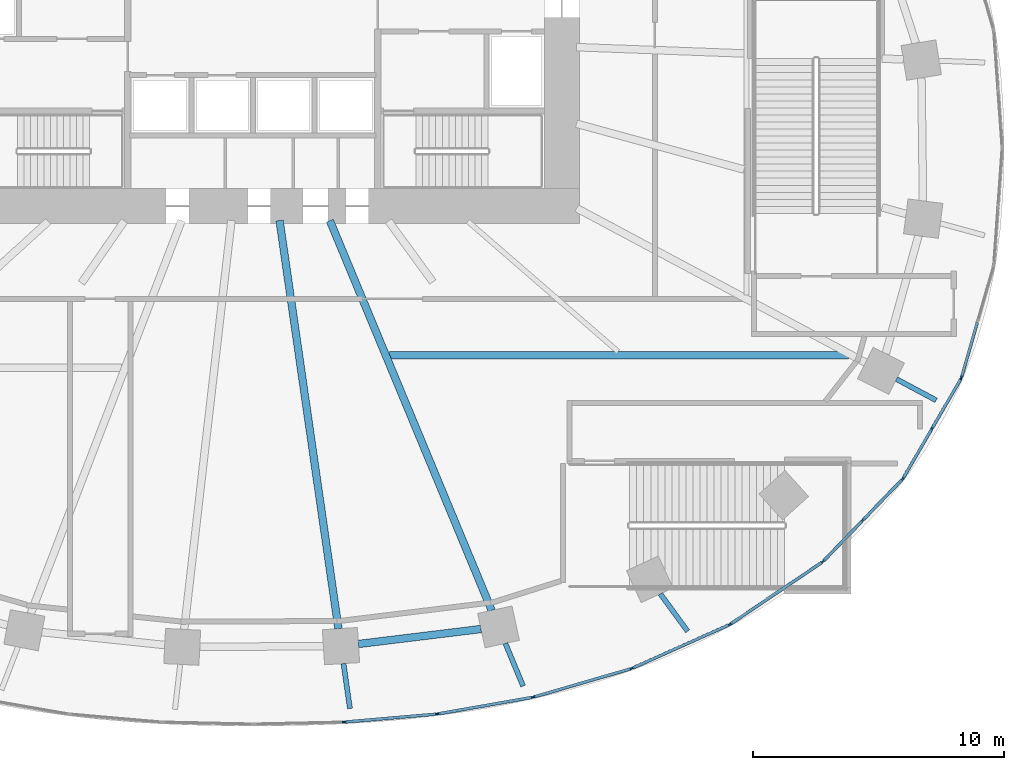
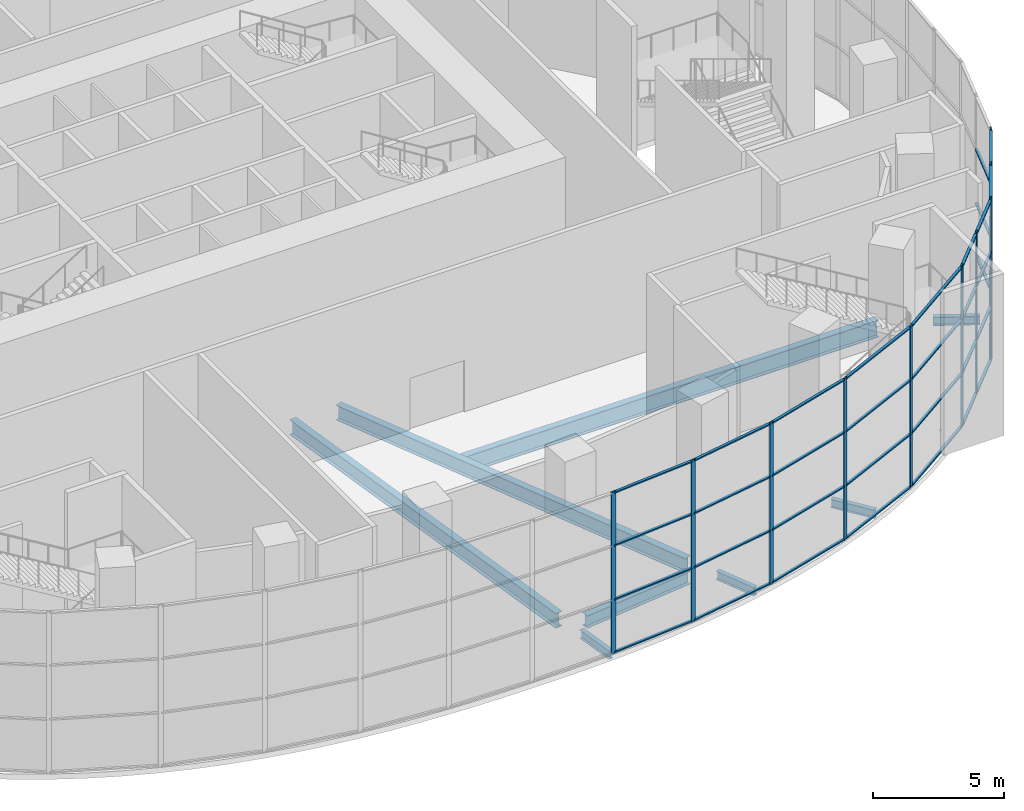
# One storey, part 5 of 22: 49 members, 8 beams, 8 elements without a shape of their own.
"""IFC4 building model written with IfcOpenShell, lengths in metres."""

from ifc_helpers import new_model, si_unit, direction, frame, origin, origin_2d, place, context, subcontext, project, spatial, rectangle, i_section, extrude, material, material_profile, profile_set, type_object, element, aggregate, save


model = new_model("IFC4")

# Units and contexts
model_context = context("Model", 3, precision=1e-05, world=origin(), true_north=direction((0.0, 1.0)))
body_context = subcontext(model_context, "Body", "Model", "MODEL_VIEW")
ifc_project = project(units=[si_unit("LENGTHUNIT", "METRE"), si_unit("AREAUNIT", "SQUARE_METRE"), si_unit("VOLUMEUNIT", "CUBIC_METRE"), si_unit("PLANEANGLEUNIT", "RADIAN"), si_unit("MASSUNIT", "GRAM", prefix="KILO")], contexts=[model_context])

# Site, building, storey
site_placement = place(None, origin())
site = spatial("IfcSite", under=ifc_project, at=site_placement, CompositionType="ELEMENT")
building_placement = place(site_placement, origin())
building = spatial("IfcBuilding", under=site, at=building_placement, Name="Rubra Terraces Tower", CompositionType="ELEMENT")
storey_placement = place(building_placement, frame((0.0, 0.0, 7.199951171875)))
storey = spatial("IfcBuildingStorey", under=building, at=storey_placement, Name="L01", CompositionType="ELEMENT", Elevation=7.199951171875)

# Beams
ifc_material_1 = material(Name="Steel Q355B", Category="steel")
ifc_material_profile_1 = material_profile(ifc_material_1, i_section(OverallWidth=0.199951171875, OverallDepth=0.39990234375, WebThickness=0.008056640625, FlangeThickness=0.012939453125, at=origin_2d()), Name="HN 400x200x8x13")
ifc_profile_set_1 = profile_set([ifc_material_profile_1], Name="Steel Q355B")
beam_type_1 = type_object("IfcBeamType", Name="CANTILEVER BEAM HN 400x200x8x13", PredefinedType="BEAM", material=ifc_profile_set_1)
beam_1_placement = place(storey_placement, frame((3.60888671875, -20.51904296875, -0.449951171875), z_axis=(0.142763772924, -0.989756790904, 0.0), x_axis=(0.989756790904, 0.142763772924, 0.0)))
element("IfcBeam", 1, at=beam_1_placement, inside=storey, type_object=beam_type_1, Name="beam-L01-cant-19", PredefinedType="BEAM", context=body_context, shape_type="SweptSolid", body=[
    extrude(i_section(OverallWidth=0.199951171875, OverallDepth=0.39990234375, WebThickness=0.008056640625, FlangeThickness=0.012939453125, at=origin_2d()), origin(), (0.0, 0.0, 1.0), 1.8076171875),
])
beam_2_placement = place(storey_placement, frame((10.052978515625, -19.715087890625, -0.449951171875), z_axis=(0.383493077266, -0.923543750826, 0.0), x_axis=(0.923543750826, 0.383493077266, 0.0)))
element("IfcBeam", 2, at=beam_2_placement, inside=storey, type_object=beam_type_1, Name="beam-L01-cant-20", PredefinedType="BEAM", context=body_context, shape_type="SweptSolid", body=[
    extrude(i_section(OverallWidth=0.199951171875, OverallDepth=0.39990234375, WebThickness=0.008056640625, FlangeThickness=0.012939453125, at=origin_2d()), origin(), (0.0, 0.0, 1.0), 1.838623046875),
])
beam_3_placement = place(storey_placement, frame((16.219970703125, -17.741943359375, -0.449951171875), z_axis=(0.589263865816, -0.80794065156, 0.0), x_axis=(0.80794065156, 0.589263865816, 0.0)))
element("IfcBeam", 3, at=beam_3_placement, inside=storey, type_object=beam_type_1, Name="beam-L01-cant-21", PredefinedType="BEAM", context=body_context, shape_type="SweptSolid", body=[
    extrude(i_section(OverallWidth=0.199951171875, OverallDepth=0.39990234375, WebThickness=0.008056640625, FlangeThickness=0.012939453125, at=origin_2d()), origin(), (0.0, 0.0, 1.0), 1.8466796875),
])
beam_4_placement = place(storey_placement, frame((25.62109375, -9.196044921875, -0.449951171875), z_axis=(0.881903321084, -0.471430304776, 0.0), x_axis=(0.471430304776, 0.881903321084, 0.0)))
element("IfcBeam", 4, at=beam_4_placement, inside=storey, type_object=beam_type_1, Name="beam-L01-cant-23", PredefinedType="BEAM", context=body_context, shape_type="SweptSolid", body=[
    extrude(i_section(OverallWidth=0.199951171875, OverallDepth=0.39990234375, WebThickness=0.008056640625, FlangeThickness=0.012939453125, at=origin_2d()), origin(), (0.0, 0.0, 1.0), 1.790283203125),
])
ifc_material_profile_2 = material_profile(ifc_material_1, i_section(OverallWidth=0.300048828125, OverallDepth=0.699951171875, WebThickness=0.012939453125, FlangeThickness=0.02392578125, at=origin_2d()), Name="HN 700x300x13x24")
ifc_profile_set_2 = profile_set([ifc_material_profile_2], Name="Steel Q355B")
beam_type_2 = type_object("IfcBeamType", Name="FLOOR BEAM HN 700x300x13x24", PredefinedType="BEAM", material=ifc_profile_set_2)
beam_5_placement = place(storey_placement, frame((3.408935546875, -19.12890625, -0.599853515625), z_axis=(-0.142787075711, 0.9897534294, 0.0), x_axis=(-0.9897534294, -0.142787075711, 0.0)))
element("IfcBeam", 5, at=beam_5_placement, inside=storey, type_object=beam_type_2, Name="beam-L01-floor-19", PredefinedType="BEAM", context=body_context, shape_type="SweptSolid", body=[
    extrude(i_section(OverallWidth=0.300048828125, OverallDepth=0.699951171875, WebThickness=0.012939453125, FlangeThickness=0.02392578125, at=origin_2d()), origin(), (0.0, 0.0, 1.0), 16.416015625),
])
beam_6_placement = place(storey_placement, frame((9.507080078125, -18.40087890625, -0.599853515625), z_axis=(-0.383379543301, 0.923590886582, 0.0), x_axis=(-0.923590886582, -0.383379543301, 0.0)))
element("IfcBeam", 6, at=beam_6_placement, inside=storey, type_object=beam_type_2, Name="beam-L01-floor-20", PredefinedType="BEAM", context=body_context, shape_type="SweptSolid", body=[
    extrude(i_section(OverallWidth=0.300048828125, OverallDepth=0.699951171875, WebThickness=0.012939453125, FlangeThickness=0.02392578125, at=origin_2d()), origin(), (0.0, 0.0, 1.0), 16.795166015625),
])

# Curtain wall, member
ifc_material_2 = material(Name="Aluminium and glass", Category="aluminium")
curtain_wall_type = type_object("IfcCurtainWallType", Name="Curtain wall Podium glazing", PredefinedType="NOTDEFINED", material=ifc_material_2)
curtain_wall_1_placement = place(storey_placement, origin())
curtain_wall_1 = element("IfcCurtainWall", 7, at=curtain_wall_1_placement, inside=storey, type_object=curtain_wall_type, Name="L01 glazing bay 32", PredefinedType="NOTDEFINED")
ifc_material_3 = material(Name="Aluminium, anodised dark grey", Category="aluminium")
ifc_material_profile_3 = material_profile(ifc_material_3, rectangle(XDim=0.06005859375, YDim=0.199951171875, at=origin_2d()), Name="AL 60x200")
ifc_profile_set_3 = profile_set([ifc_material_profile_3], Name="Aluminium, anodised dark grey")
member_type_1 = type_object("IfcMemberType", Name="Podium glazing mullion 60 x 200", PredefinedType="MULLION", material=ifc_profile_set_3)
member_1_placement = place(storey_placement, frame((3.6533203125, -22.8447265625, 0.0), z_axis=(0.0, 0.0, 1.0), x_axis=(-0.08639804595, 0.996260697637, 0.0)))
member_1 = element("IfcMember", 8, at=member_1_placement, type_object=member_type_1, Name="CW1 mullion 1", PredefinedType="MULLION", context=body_context, shape_type="SweptSolid", body=[
    extrude(rectangle(XDim=0.06005859375, YDim=0.199951171875, at=origin_2d()), origin(), (0.0, 0.0, 1.0), 7.550048828125),
])

curtain_wall_2_placement = place(storey_placement, origin())
curtain_wall_2 = element("IfcCurtainWall", 9, at=curtain_wall_2_placement, inside=storey, type_object=curtain_wall_type, Name="L01 glazing bay 33", PredefinedType="NOTDEFINED")
member_2_placement = place(storey_placement, frame((7.359619140625, -22.52099609375, 0.0), z_axis=(0.0, 0.0, 1.0), x_axis=(-0.172816985997, 0.984953952909, 0.0)))
member_2 = element("IfcMember", 10, at=member_2_placement, type_object=member_type_1, Name="CW1 mullion 1", PredefinedType="MULLION", context=body_context, shape_type="SweptSolid", body=[
    extrude(rectangle(XDim=0.06005859375, YDim=0.199951171875, at=origin_2d()), origin(), (0.0, 0.0, 1.0), 7.550048828125),
])

curtain_wall_3_placement = place(storey_placement, origin())
curtain_wall_3 = element("IfcCurtainWall", 11, at=curtain_wall_3_placement, inside=storey, type_object=curtain_wall_type, Name="L01 glazing bay 34", PredefinedType="NOTDEFINED")
member_3_placement = place(storey_placement, frame((11.180908203125, -21.84765625, 0.0), z_axis=(0.0, 0.0, 1.0), x_axis=(-0.279399200229, 0.96017502931, 0.0)))
member_3 = element("IfcMember", 12, at=member_3_placement, type_object=member_type_1, Name="CW1 mullion 1", PredefinedType="MULLION", context=body_context, shape_type="SweptSolid", body=[
    extrude(rectangle(XDim=0.06005859375, YDim=0.199951171875, at=origin_2d()), origin(), (0.0, 0.0, 1.0), 7.550048828125),
])

curtain_wall_4_placement = place(storey_placement, origin())
curtain_wall_4 = element("IfcCurtainWall", 13, at=curtain_wall_4_placement, inside=storey, type_object=curtain_wall_type, Name="L01 glazing bay 35", PredefinedType="NOTDEFINED")
member_4_placement = place(storey_placement, frame((15.09765625, -20.704345703125, 0.0), z_axis=(0.0, 0.0, 1.0), x_axis=(-0.4089624427, 0.912551215254, 0.0)))
member_4 = element("IfcMember", 14, at=member_4_placement, type_object=member_type_1, Name="CW1 mullion 1", PredefinedType="MULLION", context=body_context, shape_type="SweptSolid", body=[
    extrude(rectangle(XDim=0.06005859375, YDim=0.199951171875, at=origin_2d()), origin(), (0.0, 0.0, 1.0), 7.550048828125),
])

curtain_wall_5_placement = place(storey_placement, origin())
curtain_wall_5 = element("IfcCurtainWall", 15, at=curtain_wall_5_placement, inside=storey, type_object=curtain_wall_type, Name="L01 glazing bay 36", PredefinedType="NOTDEFINED")
member_5_placement = place(storey_placement, frame((19.009033203125, -18.947021484375, 0.0), z_axis=(0.0, 0.0, 1.0), x_axis=(-0.55927727939, 0.828980654031, 0.0)))
member_5 = element("IfcMember", 16, at=member_5_placement, type_object=member_type_1, Name="CW1 mullion 1", PredefinedType="MULLION", context=body_context, shape_type="SweptSolid", body=[
    extrude(rectangle(XDim=0.06005859375, YDim=0.199951171875, at=origin_2d()), origin(), (0.0, 0.0, 1.0), 7.550048828125),
])

# Curtain wall, members
curtain_wall_6_placement = place(storey_placement, origin())
curtain_wall_6 = element("IfcCurtainWall", 17, at=curtain_wall_6_placement, inside=storey, type_object=curtain_wall_type, Name="L01 glazing bay 37", PredefinedType="NOTDEFINED")
member_6_placement = place(storey_placement, frame((22.705810546875, -16.447265625, 0.0), z_axis=(0.0, 0.0, 1.0), x_axis=(-0.71982488517, 0.69415569917, 0.0)))
member_6 = element("IfcMember", 18, at=member_6_placement, type_object=member_type_1, Name="CW1 mullion 1", PredefinedType="MULLION", context=body_context, shape_type="SweptSolid", body=[
    extrude(rectangle(XDim=0.06005859375, YDim=0.199951171875, at=origin_2d()), origin(), (0.0, 0.0, 1.0), 7.550048828125),
])
member_7_placement = place(storey_placement, frame((24.280517578125, -14.814453125, 0.0), z_axis=(0.0, 0.0, 1.0), x_axis=(-0.71982488517, 0.69415569917, 0.0)))
member_7 = element("IfcMember", 19, at=member_7_placement, type_object=member_type_1, Name="CW1 mullion 2", PredefinedType="MULLION", context=body_context, shape_type="SweptSolid", body=[
    extrude(rectangle(XDim=0.06005859375, YDim=0.199951171875, at=origin_2d()), origin(), (0.0, 0.0, 1.0), 7.550048828125),
])

curtain_wall_7_placement = place(storey_placement, origin())
curtain_wall_7 = element("IfcCurtainWall", 20, at=curtain_wall_7_placement, inside=storey, type_object=curtain_wall_type, Name="L01 glazing bay 38", PredefinedType="NOTDEFINED")
member_8_placement = place(storey_placement, frame((25.880126953125, -13.1484375, 0.0), z_axis=(0.0, 0.0, 1.0), x_axis=(-0.864813011398, 0.502094070187, 0.0)))
member_8 = element("IfcMember", 21, at=member_8_placement, type_object=member_type_1, Name="CW1 mullion 1", PredefinedType="MULLION", context=body_context, shape_type="SweptSolid", body=[
    extrude(rectangle(XDim=0.06005859375, YDim=0.199951171875, at=origin_2d()), origin(), (0.0, 0.0, 1.0), 7.550048828125),
])
member_9_placement = place(storey_placement, frame((27.0341796875, -11.160888671875, 0.0), z_axis=(0.0, 0.0, 1.0), x_axis=(-0.864813011398, 0.502094070187, 0.0)))
member_9 = element("IfcMember", 22, at=member_9_placement, type_object=member_type_1, Name="CW1 mullion 2", PredefinedType="MULLION", context=body_context, shape_type="SweptSolid", body=[
    extrude(rectangle(XDim=0.06005859375, YDim=0.199951171875, at=origin_2d()), origin(), (0.0, 0.0, 1.0), 7.550048828125),
])

# Curtain wall, member
curtain_wall_8_placement = place(storey_placement, origin())
curtain_wall_8 = element("IfcCurtainWall", 23, at=curtain_wall_8_placement, inside=storey, type_object=curtain_wall_type, Name="L01 glazing bay 39", PredefinedType="NOTDEFINED")
member_10_placement = place(storey_placement, frame((28.2041015625, -9.135498046875, 0.0), z_axis=(0.0, 0.0, 1.0), x_axis=(-0.961047339404, 0.276383811798, 0.0)))
member_10 = element("IfcMember", 24, at=member_10_placement, type_object=member_type_1, Name="CW1 mullion 1", PredefinedType="MULLION", context=body_context, shape_type="SweptSolid", body=[
    extrude(rectangle(XDim=0.06005859375, YDim=0.199951171875, at=origin_2d()), origin(), (0.0, 0.0, 1.0), 7.550048828125),
])

# Member
ifc_material_profile_4 = material_profile(ifc_material_3, rectangle(XDim=0.1201171875, YDim=0.06005859375, at=origin_2d()), Name="AL 120x60")
ifc_profile_set_4 = profile_set([ifc_material_profile_4], Name="Aluminium, anodised dark grey")
member_type_2 = type_object("IfcMemberType", Name="Podium glazing transom 120 x 60", PredefinedType="USERDEFINED", material=ifc_profile_set_4)
member_11_placement = place(storey_placement, frame((3.683349609375, -22.842041015625, 0.06005859375), z_axis=(0.996262906738, 0.086372568895, 0.0), x_axis=(-0.086372568895, 0.996262906738, 0.0)))
member_11 = element("IfcMember", 25, at=member_11_placement, type_object=member_type_2, Name="CW1 transom 1.1", ObjectType="TRANSOM", PredefinedType="USERDEFINED", context=body_context, shape_type="SweptSolid", body=[
    extrude(rectangle(XDim=0.1201171875, YDim=0.06005859375, at=origin_2d()), origin(), (0.0, 0.0, 1.0), 3.606689453125),
])

member_12_placement = place(storey_placement, frame((3.683349609375, -22.842041015625, 2.516845703125), z_axis=(0.996262906738, 0.086372568895, 0.0), x_axis=(-0.086372568895, 0.996262906738, 0.0)))
member_12 = element("IfcMember", 26, at=member_12_placement, type_object=member_type_2, Name="CW1 transom 1.2", ObjectType="TRANSOM", PredefinedType="USERDEFINED", context=body_context, shape_type="SweptSolid", body=[
    extrude(rectangle(XDim=0.1201171875, YDim=0.06005859375, at=origin_2d()), origin(), (0.0, 0.0, 1.0), 3.606689453125),
])

member_13_placement = place(storey_placement, frame((3.683349609375, -22.842041015625, 5.033447265625), z_axis=(0.996262906738, 0.086372568895, 0.0), x_axis=(-0.086372568895, 0.996262906738, 0.0)))
member_13 = element("IfcMember", 27, at=member_13_placement, type_object=member_type_2, Name="CW1 transom 1.3", ObjectType="TRANSOM", PredefinedType="USERDEFINED", context=body_context, shape_type="SweptSolid", body=[
    extrude(rectangle(XDim=0.1201171875, YDim=0.06005859375, at=origin_2d()), origin(), (0.0, 0.0, 1.0), 3.606689453125),
])

member_14_placement = place(storey_placement, frame((3.683349609375, -22.842041015625, 7.489990234375), z_axis=(0.996262906738, 0.086372568895, 0.0), x_axis=(-0.086372568895, 0.996262906738, 0.0)))
member_14 = element("IfcMember", 28, at=member_14_placement, type_object=member_type_2, Name="CW1 transom 1.4", ObjectType="TRANSOM", PredefinedType="USERDEFINED", context=body_context, shape_type="SweptSolid", body=[
    extrude(rectangle(XDim=0.1201171875, YDim=0.06005859375, at=origin_2d()), origin(), (0.0, 0.0, 1.0), 3.606689453125),
])

aggregate(curtain_wall_1, [member_1, member_11, member_12, member_13, member_14])

member_15_placement = place(storey_placement, frame((7.38916015625, -22.515625, 0.06005859375), z_axis=(0.984959152546, 0.172787348539, 0.0), x_axis=(-0.172787348539, 0.984959152546, 0.0)))
member_15 = element("IfcMember", 29, at=member_15_placement, type_object=member_type_2, Name="CW1 transom 1.1", ObjectType="TRANSOM", PredefinedType="USERDEFINED", context=body_context, shape_type="SweptSolid", body=[
    extrude(rectangle(XDim=0.1201171875, YDim=0.06005859375, at=origin_2d()), origin(), (0.0, 0.0, 1.0), 3.768310546875),
])

member_16_placement = place(storey_placement, frame((7.38916015625, -22.515625, 2.516845703125), z_axis=(0.984959152546, 0.172787348539, 0.0), x_axis=(-0.172787348539, 0.984959152546, 0.0)))
member_16 = element("IfcMember", 30, at=member_16_placement, type_object=member_type_2, Name="CW1 transom 1.2", ObjectType="TRANSOM", PredefinedType="USERDEFINED", context=body_context, shape_type="SweptSolid", body=[
    extrude(rectangle(XDim=0.1201171875, YDim=0.06005859375, at=origin_2d()), origin(), (0.0, 0.0, 1.0), 3.768310546875),
])

member_17_placement = place(storey_placement, frame((7.38916015625, -22.515625, 5.033447265625), z_axis=(0.984959152546, 0.172787348539, 0.0), x_axis=(-0.172787348539, 0.984959152546, 0.0)))
member_17 = element("IfcMember", 31, at=member_17_placement, type_object=member_type_2, Name="CW1 transom 1.3", ObjectType="TRANSOM", PredefinedType="USERDEFINED", context=body_context, shape_type="SweptSolid", body=[
    extrude(rectangle(XDim=0.1201171875, YDim=0.06005859375, at=origin_2d()), origin(), (0.0, 0.0, 1.0), 3.768310546875),
])

member_18_placement = place(storey_placement, frame((7.38916015625, -22.515625, 7.489990234375), z_axis=(0.984959152546, 0.172787348539, 0.0), x_axis=(-0.172787348539, 0.984959152546, 0.0)))
member_18 = element("IfcMember", 32, at=member_18_placement, type_object=member_type_2, Name="CW1 transom 1.4", ObjectType="TRANSOM", PredefinedType="USERDEFINED", context=body_context, shape_type="SweptSolid", body=[
    extrude(rectangle(XDim=0.1201171875, YDim=0.06005859375, at=origin_2d()), origin(), (0.0, 0.0, 1.0), 3.768310546875),
])

aggregate(curtain_wall_2, [member_2, member_15, member_16, member_17, member_18])

member_19_placement = place(storey_placement, frame((11.209716796875, -21.83935546875, 0.06005859375), z_axis=(0.960164409194, 0.279435694422, 0.0), x_axis=(-0.279435694422, 0.960164409194, 0.0)))
member_19 = element("IfcMember", 33, at=member_19_placement, type_object=member_type_2, Name="CW1 transom 1.1", ObjectType="TRANSOM", PredefinedType="USERDEFINED", context=body_context, shape_type="SweptSolid", body=[
    extrude(rectangle(XDim=0.1201171875, YDim=0.06005859375, at=origin_2d()), origin(), (0.0, 0.0, 1.0), 3.970947265625),
])

member_20_placement = place(storey_placement, frame((11.209716796875, -21.83935546875, 2.516845703125), z_axis=(0.960164409194, 0.279435694422, 0.0), x_axis=(-0.279435694422, 0.960164409194, 0.0)))
member_20 = element("IfcMember", 34, at=member_20_placement, type_object=member_type_2, Name="CW1 transom 1.2", ObjectType="TRANSOM", PredefinedType="USERDEFINED", context=body_context, shape_type="SweptSolid", body=[
    extrude(rectangle(XDim=0.1201171875, YDim=0.06005859375, at=origin_2d()), origin(), (0.0, 0.0, 1.0), 3.970947265625),
])

member_21_placement = place(storey_placement, frame((11.209716796875, -21.83935546875, 5.033447265625), z_axis=(0.960164409194, 0.279435694422, 0.0), x_axis=(-0.279435694422, 0.960164409194, 0.0)))
member_21 = element("IfcMember", 35, at=member_21_placement, type_object=member_type_2, Name="CW1 transom 1.3", ObjectType="TRANSOM", PredefinedType="USERDEFINED", context=body_context, shape_type="SweptSolid", body=[
    extrude(rectangle(XDim=0.1201171875, YDim=0.06005859375, at=origin_2d()), origin(), (0.0, 0.0, 1.0), 3.970947265625),
])

member_22_placement = place(storey_placement, frame((11.209716796875, -21.83935546875, 7.489990234375), z_axis=(0.960164409194, 0.279435694422, 0.0), x_axis=(-0.279435694422, 0.960164409194, 0.0)))
member_22 = element("IfcMember", 36, at=member_22_placement, type_object=member_type_2, Name="CW1 transom 1.4", ObjectType="TRANSOM", PredefinedType="USERDEFINED", context=body_context, shape_type="SweptSolid", body=[
    extrude(rectangle(XDim=0.1201171875, YDim=0.06005859375, at=origin_2d()), origin(), (0.0, 0.0, 1.0), 3.970947265625),
])

aggregate(curtain_wall_3, [member_3, member_19, member_20, member_21, member_22])

member_23_placement = place(storey_placement, frame((15.125, -20.692138671875, 0.06005859375), z_axis=(0.912545396627, 0.408975426029, 0.0), x_axis=(-0.408975426029, 0.912545396627, 0.0)))
member_23 = element("IfcMember", 37, at=member_23_placement, type_object=member_type_2, Name="CW1 transom 1.1", ObjectType="TRANSOM", PredefinedType="USERDEFINED", context=body_context, shape_type="SweptSolid", body=[
    extrude(rectangle(XDim=0.1201171875, YDim=0.06005859375, at=origin_2d()), origin(), (0.0, 0.0, 1.0), 4.18115234375),
])

member_24_placement = place(storey_placement, frame((15.125, -20.692138671875, 2.516845703125), z_axis=(0.912545396627, 0.408975426029, 0.0), x_axis=(-0.408975426029, 0.912545396627, 0.0)))
member_24 = element("IfcMember", 38, at=member_24_placement, type_object=member_type_2, Name="CW1 transom 1.2", ObjectType="TRANSOM", PredefinedType="USERDEFINED", context=body_context, shape_type="SweptSolid", body=[
    extrude(rectangle(XDim=0.1201171875, YDim=0.06005859375, at=origin_2d()), origin(), (0.0, 0.0, 1.0), 4.18115234375),
])

member_25_placement = place(storey_placement, frame((15.125, -20.692138671875, 5.033447265625), z_axis=(0.912545396627, 0.408975426029, 0.0), x_axis=(-0.408975426029, 0.912545396627, 0.0)))
member_25 = element("IfcMember", 39, at=member_25_placement, type_object=member_type_2, Name="CW1 transom 1.3", ObjectType="TRANSOM", PredefinedType="USERDEFINED", context=body_context, shape_type="SweptSolid", body=[
    extrude(rectangle(XDim=0.1201171875, YDim=0.06005859375, at=origin_2d()), origin(), (0.0, 0.0, 1.0), 4.18115234375),
])

member_26_placement = place(storey_placement, frame((15.125, -20.692138671875, 7.489990234375), z_axis=(0.912545396627, 0.408975426029, 0.0), x_axis=(-0.408975426029, 0.912545396627, 0.0)))
member_26 = element("IfcMember", 40, at=member_26_placement, type_object=member_type_2, Name="CW1 transom 1.4", ObjectType="TRANSOM", PredefinedType="USERDEFINED", context=body_context, shape_type="SweptSolid", body=[
    extrude(rectangle(XDim=0.1201171875, YDim=0.06005859375, at=origin_2d()), origin(), (0.0, 0.0, 1.0), 4.18115234375),
])

aggregate(curtain_wall_4, [member_4, member_23, member_24, member_25, member_26])

member_27_placement = place(storey_placement, frame((19.033935546875, -18.93017578125, 0.06005859375), z_axis=(0.828996039897, 0.559254473236, 0.0), x_axis=(-0.559254473236, 0.828996039897, 0.0)))
member_27 = element("IfcMember", 41, at=member_27_placement, type_object=member_type_2, Name="CW1 transom 1.1", ObjectType="TRANSOM", PredefinedType="USERDEFINED", context=body_context, shape_type="SweptSolid", body=[
    extrude(rectangle(XDim=0.1201171875, YDim=0.06005859375, at=origin_2d()), origin(), (0.0, 0.0, 1.0), 4.35888671875),
])

member_28_placement = place(storey_placement, frame((19.033935546875, -18.93017578125, 2.516845703125), z_axis=(0.828996039897, 0.559254473236, 0.0), x_axis=(-0.559254473236, 0.828996039897, 0.0)))
member_28 = element("IfcMember", 42, at=member_28_placement, type_object=member_type_2, Name="CW1 transom 1.2", ObjectType="TRANSOM", PredefinedType="USERDEFINED", context=body_context, shape_type="SweptSolid", body=[
    extrude(rectangle(XDim=0.1201171875, YDim=0.06005859375, at=origin_2d()), origin(), (0.0, 0.0, 1.0), 4.35888671875),
])

member_29_placement = place(storey_placement, frame((19.033935546875, -18.93017578125, 5.033447265625), z_axis=(0.828996039897, 0.559254473236, 0.0), x_axis=(-0.559254473236, 0.828996039897, 0.0)))
member_29 = element("IfcMember", 43, at=member_29_placement, type_object=member_type_2, Name="CW1 transom 1.3", ObjectType="TRANSOM", PredefinedType="USERDEFINED", context=body_context, shape_type="SweptSolid", body=[
    extrude(rectangle(XDim=0.1201171875, YDim=0.06005859375, at=origin_2d()), origin(), (0.0, 0.0, 1.0), 4.35888671875),
])

member_30_placement = place(storey_placement, frame((19.033935546875, -18.93017578125, 7.489990234375), z_axis=(0.828996039897, 0.559254473236, 0.0), x_axis=(-0.559254473236, 0.828996039897, 0.0)))
member_30 = element("IfcMember", 44, at=member_30_placement, type_object=member_type_2, Name="CW1 transom 1.4", ObjectType="TRANSOM", PredefinedType="USERDEFINED", context=body_context, shape_type="SweptSolid", body=[
    extrude(rectangle(XDim=0.1201171875, YDim=0.06005859375, at=origin_2d()), origin(), (0.0, 0.0, 1.0), 4.35888671875),
])

aggregate(curtain_wall_5, [member_5, member_27, member_28, member_29, member_30])

member_31_placement = place(storey_placement, frame((22.7265625, -16.42578125, 0.06005859375), z_axis=(0.694168299732, 0.719812733735, 0.0), x_axis=(-0.719812733735, 0.694168299732, 0.0)))
member_31 = element("IfcMember", 45, at=member_31_placement, type_object=member_type_2, Name="CW1 transom 1.1", ObjectType="TRANSOM", PredefinedType="USERDEFINED", context=body_context, shape_type="SweptSolid", body=[
    extrude(rectangle(XDim=0.1201171875, YDim=0.06005859375, at=origin_2d()), origin(), (0.0, 0.0, 1.0), 2.208740234375),
])

member_32_placement = place(storey_placement, frame((22.7265625, -16.42578125, 2.516845703125), z_axis=(0.694168299732, 0.719812733735, 0.0), x_axis=(-0.719812733735, 0.694168299732, 0.0)))
member_32 = element("IfcMember", 46, at=member_32_placement, type_object=member_type_2, Name="CW1 transom 1.2", ObjectType="TRANSOM", PredefinedType="USERDEFINED", context=body_context, shape_type="SweptSolid", body=[
    extrude(rectangle(XDim=0.1201171875, YDim=0.06005859375, at=origin_2d()), origin(), (0.0, 0.0, 1.0), 2.208740234375),
])

member_33_placement = place(storey_placement, frame((22.7265625, -16.42578125, 5.033447265625), z_axis=(0.694168299732, 0.719812733735, 0.0), x_axis=(-0.719812733735, 0.694168299732, 0.0)))
member_33 = element("IfcMember", 47, at=member_33_placement, type_object=member_type_2, Name="CW1 transom 1.3", ObjectType="TRANSOM", PredefinedType="USERDEFINED", context=body_context, shape_type="SweptSolid", body=[
    extrude(rectangle(XDim=0.1201171875, YDim=0.06005859375, at=origin_2d()), origin(), (0.0, 0.0, 1.0), 2.208740234375),
])

member_34_placement = place(storey_placement, frame((22.7265625, -16.42578125, 7.489990234375), z_axis=(0.694168299732, 0.719812733735, 0.0), x_axis=(-0.719812733735, 0.694168299732, 0.0)))
member_34 = element("IfcMember", 48, at=member_34_placement, type_object=member_type_2, Name="CW1 transom 1.4", ObjectType="TRANSOM", PredefinedType="USERDEFINED", context=body_context, shape_type="SweptSolid", body=[
    extrude(rectangle(XDim=0.1201171875, YDim=0.06005859375, at=origin_2d()), origin(), (0.0, 0.0, 1.0), 2.208740234375),
])

member_35_placement = place(storey_placement, frame((24.30126953125, -14.792724609375, 0.06005859375), z_axis=(0.694223533913, 0.719759463266, 0.0), x_axis=(-0.719759463266, 0.694223533913, 0.0)))
member_35 = element("IfcMember", 49, at=member_35_placement, type_object=member_type_2, Name="CW1 transom 2.1", ObjectType="TRANSOM", PredefinedType="USERDEFINED", context=body_context, shape_type="SweptSolid", body=[
    extrude(rectangle(XDim=0.1201171875, YDim=0.06005859375, at=origin_2d()), origin(), (0.0, 0.0, 1.0), 2.20849609375),
])

member_36_placement = place(storey_placement, frame((24.30126953125, -14.792724609375, 2.516845703125), z_axis=(0.694223533913, 0.719759463266, 0.0), x_axis=(-0.719759463266, 0.694223533913, 0.0)))
member_36 = element("IfcMember", 50, at=member_36_placement, type_object=member_type_2, Name="CW1 transom 2.2", ObjectType="TRANSOM", PredefinedType="USERDEFINED", context=body_context, shape_type="SweptSolid", body=[
    extrude(rectangle(XDim=0.1201171875, YDim=0.06005859375, at=origin_2d()), origin(), (0.0, 0.0, 1.0), 2.20849609375),
])

member_37_placement = place(storey_placement, frame((24.30126953125, -14.792724609375, 5.033447265625), z_axis=(0.694223533913, 0.719759463266, 0.0), x_axis=(-0.719759463266, 0.694223533913, 0.0)))
member_37 = element("IfcMember", 51, at=member_37_placement, type_object=member_type_2, Name="CW1 transom 2.3", ObjectType="TRANSOM", PredefinedType="USERDEFINED", context=body_context, shape_type="SweptSolid", body=[
    extrude(rectangle(XDim=0.1201171875, YDim=0.06005859375, at=origin_2d()), origin(), (0.0, 0.0, 1.0), 2.20849609375),
])

member_38_placement = place(storey_placement, frame((24.30126953125, -14.792724609375, 7.489990234375), z_axis=(0.694223533913, 0.719759463266, 0.0), x_axis=(-0.719759463266, 0.694223533913, 0.0)))
member_38 = element("IfcMember", 52, at=member_38_placement, type_object=member_type_2, Name="CW1 transom 2.4", ObjectType="TRANSOM", PredefinedType="USERDEFINED", context=body_context, shape_type="SweptSolid", body=[
    extrude(rectangle(XDim=0.1201171875, YDim=0.06005859375, at=origin_2d()), origin(), (0.0, 0.0, 1.0), 2.20849609375),
])

aggregate(curtain_wall_6, [member_6, member_7, member_31, member_32, member_33, member_34, member_35, member_36, member_37, member_38])

member_39_placement = place(storey_placement, frame((25.895263671875, -13.122314453125, 0.06005859375), z_axis=(0.502106569931, 0.864805754162, 0.0), x_axis=(-0.864805754162, 0.502106569931, 0.0)))
member_39 = element("IfcMember", 53, at=member_39_placement, type_object=member_type_2, Name="CW1 transom 1.1", ObjectType="TRANSOM", PredefinedType="USERDEFINED", context=body_context, shape_type="SweptSolid", body=[
    extrude(rectangle(XDim=0.1201171875, YDim=0.06005859375, at=origin_2d()), origin(), (0.0, 0.0, 1.0), 2.238037109375),
])

member_40_placement = place(storey_placement, frame((25.895263671875, -13.122314453125, 2.516845703125), z_axis=(0.502106569931, 0.864805754162, 0.0), x_axis=(-0.864805754162, 0.502106569931, 0.0)))
member_40 = element("IfcMember", 54, at=member_40_placement, type_object=member_type_2, Name="CW1 transom 1.2", ObjectType="TRANSOM", PredefinedType="USERDEFINED", context=body_context, shape_type="SweptSolid", body=[
    extrude(rectangle(XDim=0.1201171875, YDim=0.06005859375, at=origin_2d()), origin(), (0.0, 0.0, 1.0), 2.238037109375),
])

member_41_placement = place(storey_placement, frame((25.895263671875, -13.122314453125, 5.033447265625), z_axis=(0.502106569931, 0.864805754162, 0.0), x_axis=(-0.864805754162, 0.502106569931, 0.0)))
member_41 = element("IfcMember", 55, at=member_41_placement, type_object=member_type_2, Name="CW1 transom 1.3", ObjectType="TRANSOM", PredefinedType="USERDEFINED", context=body_context, shape_type="SweptSolid", body=[
    extrude(rectangle(XDim=0.1201171875, YDim=0.06005859375, at=origin_2d()), origin(), (0.0, 0.0, 1.0), 2.238037109375),
])

member_42_placement = place(storey_placement, frame((25.895263671875, -13.122314453125, 7.489990234375), z_axis=(0.502106569931, 0.864805754162, 0.0), x_axis=(-0.864805754162, 0.502106569931, 0.0)))
member_42 = element("IfcMember", 56, at=member_42_placement, type_object=member_type_2, Name="CW1 transom 1.4", ObjectType="TRANSOM", PredefinedType="USERDEFINED", context=body_context, shape_type="SweptSolid", body=[
    extrude(rectangle(XDim=0.1201171875, YDim=0.06005859375, at=origin_2d()), origin(), (0.0, 0.0, 1.0), 2.238037109375),
])

member_43_placement = place(storey_placement, frame((27.049072265625, -11.134765625, 0.06005859375), z_axis=(0.5021881448, 0.864758386616, 0.0), x_axis=(-0.864758386616, 0.5021881448, 0.0)))
member_43 = element("IfcMember", 57, at=member_43_placement, type_object=member_type_2, Name="CW1 transom 2.1", ObjectType="TRANSOM", PredefinedType="USERDEFINED", context=body_context, shape_type="SweptSolid", body=[
    extrude(rectangle(XDim=0.1201171875, YDim=0.06005859375, at=origin_2d()), origin(), (0.0, 0.0, 1.0), 2.23828125),
])

member_44_placement = place(storey_placement, frame((27.049072265625, -11.134765625, 2.516845703125), z_axis=(0.5021881448, 0.864758386616, 0.0), x_axis=(-0.864758386616, 0.5021881448, 0.0)))
member_44 = element("IfcMember", 58, at=member_44_placement, type_object=member_type_2, Name="CW1 transom 2.2", ObjectType="TRANSOM", PredefinedType="USERDEFINED", context=body_context, shape_type="SweptSolid", body=[
    extrude(rectangle(XDim=0.1201171875, YDim=0.06005859375, at=origin_2d()), origin(), (0.0, 0.0, 1.0), 2.23828125),
])

member_45_placement = place(storey_placement, frame((27.049072265625, -11.134765625, 5.033447265625), z_axis=(0.5021881448, 0.864758386616, 0.0), x_axis=(-0.864758386616, 0.5021881448, 0.0)))
member_45 = element("IfcMember", 59, at=member_45_placement, type_object=member_type_2, Name="CW1 transom 2.3", ObjectType="TRANSOM", PredefinedType="USERDEFINED", context=body_context, shape_type="SweptSolid", body=[
    extrude(rectangle(XDim=0.1201171875, YDim=0.06005859375, at=origin_2d()), origin(), (0.0, 0.0, 1.0), 2.23828125),
])

member_46_placement = place(storey_placement, frame((27.049072265625, -11.134765625, 7.489990234375), z_axis=(0.5021881448, 0.864758386616, 0.0), x_axis=(-0.864758386616, 0.5021881448, 0.0)))
member_46 = element("IfcMember", 60, at=member_46_placement, type_object=member_type_2, Name="CW1 transom 2.4", ObjectType="TRANSOM", PredefinedType="USERDEFINED", context=body_context, shape_type="SweptSolid", body=[
    extrude(rectangle(XDim=0.1201171875, YDim=0.06005859375, at=origin_2d()), origin(), (0.0, 0.0, 1.0), 2.23828125),
])

aggregate(curtain_wall_7, [member_8, member_9, member_39, member_40, member_41, member_42, member_43, member_44, member_45, member_46])

member_47_placement = place(storey_placement, frame((28.21240234375, -9.106689453125, 0.06005859375), z_axis=(0.276452561882, 0.961027565177, 0.0), x_axis=(-0.961027565177, 0.276452561882, 0.0)))
member_47 = element("IfcMember", 61, at=member_47_placement, type_object=member_type_2, Name="CW1 transom 1.1", ObjectType="TRANSOM", PredefinedType="USERDEFINED", context=body_context, shape_type="SweptSolid", body=[
    extrude(rectangle(XDim=0.1201171875, YDim=0.06005859375, at=origin_2d()), origin(), (0.0, 0.0, 1.0), 2.2529296875),
])

member_48_placement = place(storey_placement, frame((28.21240234375, -9.106689453125, 2.516845703125), z_axis=(0.276452561882, 0.961027565177, 0.0), x_axis=(-0.961027565177, 0.276452561882, 0.0)))
member_48 = element("IfcMember", 62, at=member_48_placement, type_object=member_type_2, Name="CW1 transom 1.2", ObjectType="TRANSOM", PredefinedType="USERDEFINED", context=body_context, shape_type="SweptSolid", body=[
    extrude(rectangle(XDim=0.1201171875, YDim=0.06005859375, at=origin_2d()), origin(), (0.0, 0.0, 1.0), 2.2529296875),
])

member_49_placement = place(storey_placement, frame((28.21240234375, -9.106689453125, 5.033447265625), z_axis=(0.276452561882, 0.961027565177, 0.0), x_axis=(-0.961027565177, 0.276452561882, 0.0)))
member_49 = element("IfcMember", 63, at=member_49_placement, type_object=member_type_2, Name="CW1 transom 1.3", ObjectType="TRANSOM", PredefinedType="USERDEFINED", context=body_context, shape_type="SweptSolid", body=[
    extrude(rectangle(XDim=0.1201171875, YDim=0.06005859375, at=origin_2d()), origin(), (0.0, 0.0, 1.0), 2.2529296875),
])

aggregate(curtain_wall_8, [member_10, member_47, member_48, member_49])

# Beams
ifc_material_profile_5 = material_profile(ifc_material_1, i_section(OverallWidth=0.300048828125, OverallDepth=0.587890625, WebThickness=0.011962890625, FlangeThickness=0.02001953125, at=origin_2d()), Name="HM 588x300x12x20")
ifc_profile_set_5 = profile_set([ifc_material_profile_5], Name="Steel Q355B")
beam_type_3 = type_object("IfcBeamType", Name="SPANDREL BEAM HM 588x300x12x20", PredefinedType="SPANDREL", material=ifc_profile_set_5)
beam_7_placement = place(storey_placement, frame((4.205078125, -19.739013671875, -0.5439453125), z_axis=(0.992616576014, 0.12129440639, 0.0), x_axis=(-0.12129440639, 0.992616576014, 0.0)))
element("IfcBeam", 64, at=beam_7_placement, inside=storey, type_object=beam_type_3, Name="beam-L01-spandrel-19", PredefinedType="SPANDREL", context=body_context, shape_type="SweptSolid", body=[
    extrude(i_section(OverallWidth=0.300048828125, OverallDepth=0.587890625, WebThickness=0.011962890625, FlangeThickness=0.02001953125, at=origin_2d()), origin(), (0.0, 0.0, 1.0), 4.913330078125),
])
ifc_material_profile_6 = material_profile(ifc_material_1, i_section(OverallWidth=0.300048828125, OverallDepth=0.800048828125, WebThickness=0.013916015625, FlangeThickness=0.02587890625, at=origin_2d()), Name="HN 800x300x14x26")
ifc_profile_set_6 = profile_set([ifc_material_profile_6], Name="Steel Q355B")
beam_type_4 = type_object("IfcBeamType", Name="TRIMMER BEAM HN 800x300x14x26", PredefinedType="BEAM", material=ifc_profile_set_6)
beam_8_placement = place(storey_placement, frame((5.443115234375, -8.25, -0.64990234375), z_axis=(1.0, 0.0, 0.0), x_axis=(0.0, 1.0, 0.0)))
element("IfcBeam", 65, at=beam_8_placement, inside=storey, type_object=beam_type_4, Name="beam-L01-header-4-yhi", PredefinedType="BEAM", context=body_context, shape_type="SweptSolid", body=[
    extrude(i_section(OverallWidth=0.300048828125, OverallDepth=0.800048828125, WebThickness=0.013916015625, FlangeThickness=0.02587890625, at=origin_2d()), origin(), (0.0, 0.0, 1.0), 18.2578125),
])

save(model, "model.ifc")
